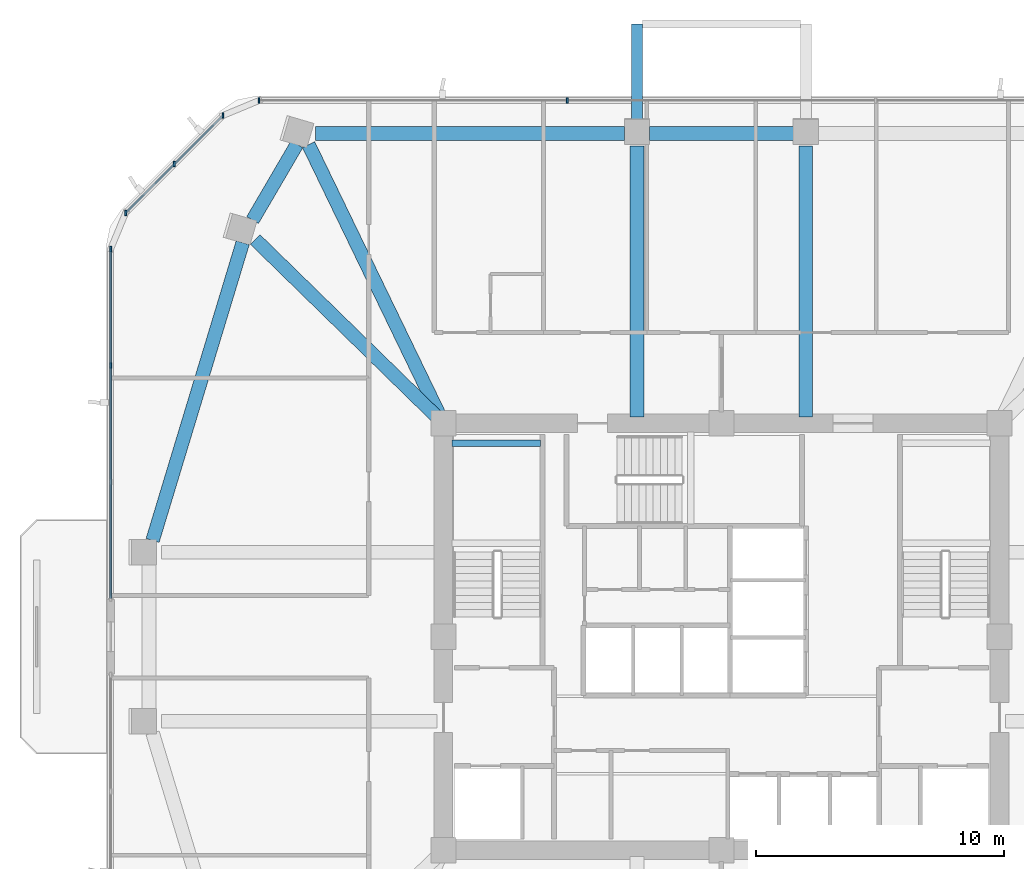
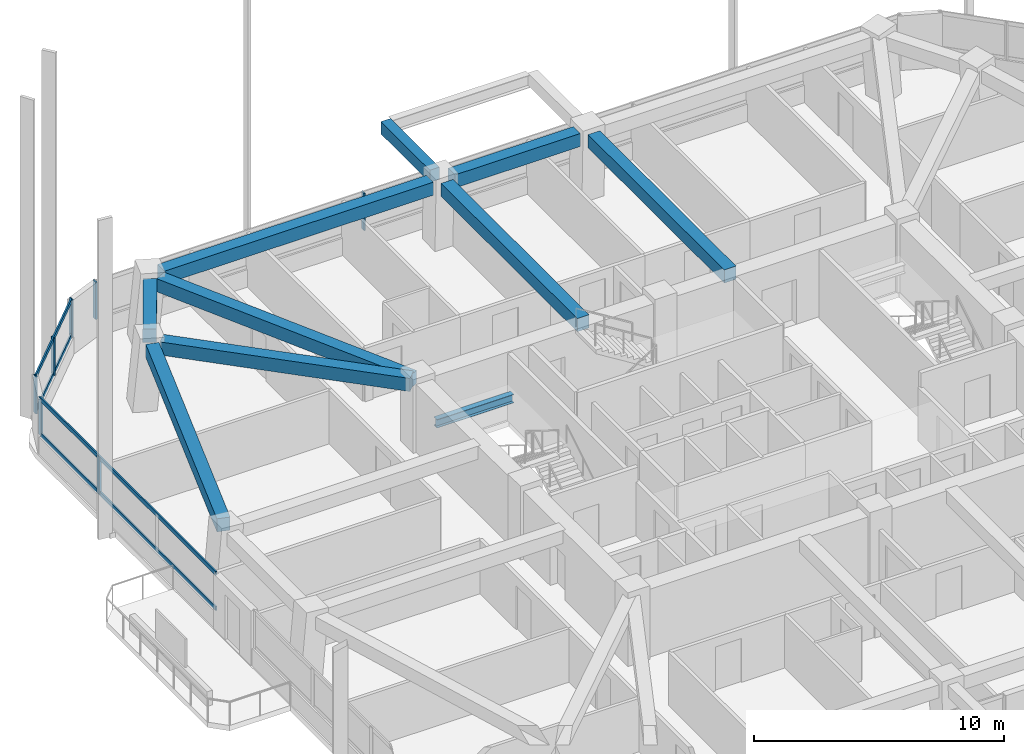
# One storey, part 4 of 15: 11 members, 10 beams, 3 elements without a shape of their own.
"""IFC4 building model written with IfcOpenShell, lengths in metres."""

from ifc_helpers import new_model, si_unit, derived_unit, direction, frame, origin, origin_2d, place, context, subcontext, project, spatial, rectangle, i_section, extrude, material, material_profile, profile_set, type_object, element, aggregate, save


model = new_model("IFC4")

# Units and contexts
model_context = context("Model", 3, precision=1e-05, world=origin(), true_north=direction((0.0, 1.0)))
body_context = subcontext(model_context, "Body", "Model", "MODEL_VIEW")
ifc_project = project(units=[si_unit("LENGTHUNIT", "METRE"), si_unit("AREAUNIT", "SQUARE_METRE"), si_unit("VOLUMEUNIT", "CUBIC_METRE"), si_unit("PLANEANGLEUNIT", "RADIAN"), si_unit("MASSUNIT", "GRAM", prefix="KILO"), derived_unit("THERMALTRANSMITTANCEUNIT", [(si_unit("POWERUNIT", "WATT"), 1), (si_unit("LENGTHUNIT", "METRE"), -2), (si_unit("THERMODYNAMICTEMPERATUREUNIT", "KELVIN"), -1)])], contexts=[model_context])

# Site, building, storey
site_placement = place(None, origin())
site = spatial("IfcSite", under=ifc_project, at=site_placement, CompositionType="ELEMENT")
building_placement = place(site_placement, origin())
building = spatial("IfcBuilding", under=site, at=building_placement, Name="Koralith Skygarden Medical Center", CompositionType="ELEMENT")
storey_placement = place(building_placement, frame((0.0, 0.0, 113.580078125)))
storey = spatial("IfcBuildingStorey", under=building, at=storey_placement, Name="L29", CompositionType="ELEMENT", Elevation=113.580078125)

# Curtain wall, members
ifc_material_1 = material(Name="Clear Laminated Glass", Category="glass")
curtain_wall_type = type_object("IfcCurtainWallType", Name="CW-3 Zone 2 Faceted Solar Curtain Wall", PredefinedType="NOTDEFINED", material=ifc_material_1)
curtain_wall_1_placement = place(storey_placement, origin())
curtain_wall_1 = element("IfcCurtainWall", 1, at=curtain_wall_1_placement, inside=storey, type_object=curtain_wall_type, Name="Curtain Wall CW-L29-N", PredefinedType="NOTDEFINED")
ifc_material_2 = material(Name="Aluminium 6063-T6", Category="aluminium")
ifc_material_profile_1 = material_profile(ifc_material_2, rectangle(XDim=0.073974609375, YDim=0.219970703125, at=origin_2d()), Name="MUL74X220")
ifc_profile_set_1 = profile_set([ifc_material_profile_1], Name="Aluminium 6063-T6")
member_type_1 = type_object("IfcMemberType", Name="CW-3 Extruded Mullion 74x220", PredefinedType="MULLION", material=ifc_profile_set_1)
member_1_placement = place(storey_placement, frame((30.7900390625, 47.5009765625, 0.849853515625), z_axis=(0.0, 0.0, 1.0), x_axis=(1.0, 0.0, 0.0)))
member_1 = element("IfcMember", 2, at=member_1_placement, type_object=member_type_1, Name="CW-L29-N Mullion 3", PredefinedType="MULLION", context=body_context, shape_type="SweptSolid", body=[
    extrude(rectangle(XDim=0.073974609375, YDim=0.219970703125, at=origin_2d()), origin(), (0.0, 0.0, 1.0), 1.820068359375),
])
member_2_placement = place(storey_placement, frame((18.37109375, 47.5009765625, 0.849853515625), z_axis=(0.0, 0.0, 1.0), x_axis=(1.0, 0.0, 0.0)))
member_2 = element("IfcMember", 3, at=member_2_placement, type_object=member_type_1, Name="CW-L29-N Mullion 4", PredefinedType="MULLION", context=body_context, shape_type="SweptSolid", body=[
    extrude(rectangle(XDim=0.073974609375, YDim=0.219970703125, at=origin_2d()), origin(), (0.0, 0.0, 1.0), 1.820068359375),
])
aggregate(curtain_wall_1, [member_1, member_2])

curtain_wall_2_placement = place(storey_placement, origin())
curtain_wall_2 = element("IfcCurtainWall", 4, at=curtain_wall_2_placement, inside=storey, type_object=curtain_wall_type, Name="Curtain Wall CW-L29-NW", PredefinedType="NOTDEFINED")
member_3_placement = place(storey_placement, frame((16.919921875, 46.89892578125, 0.849853515625), z_axis=(0.0, 0.0, 1.0), x_axis=(1.0, 0.0, 0.0)))
member_3 = element("IfcMember", 5, at=member_3_placement, type_object=member_type_1, Name="CW-L29-NW Mullion 1", PredefinedType="MULLION", context=body_context, shape_type="SweptSolid", body=[
    extrude(rectangle(XDim=0.073974609375, YDim=0.219970703125, at=origin_2d()), origin(), (0.0, 0.0, 1.0), 1.820068359375),
])
member_4_placement = place(storey_placement, frame((14.958984375, 44.93798828125, 0.849853515625), z_axis=(0.0, 0.0, 1.0), x_axis=(1.0, 0.0, 0.0)))
member_4 = element("IfcMember", 6, at=member_4_placement, type_object=member_type_1, Name="CW-L29-NW Mullion 2", PredefinedType="MULLION", context=body_context, shape_type="SweptSolid", body=[
    extrude(rectangle(XDim=0.073974609375, YDim=0.219970703125, at=origin_2d()), origin(), (0.0, 0.0, 1.0), 1.820068359375),
])
member_5_placement = place(storey_placement, frame((12.9970703125, 42.97607421875, 0.849853515625), z_axis=(0.0, 0.0, 1.0), x_axis=(1.0, 0.0, 0.0)))
member_5 = element("IfcMember", 7, at=member_5_placement, type_object=member_type_1, Name="CW-L29-NW Mullion 3", PredefinedType="MULLION", context=body_context, shape_type="SweptSolid", body=[
    extrude(rectangle(XDim=0.073974609375, YDim=0.219970703125, at=origin_2d()), origin(), (0.0, 0.0, 1.0), 1.820068359375),
])

curtain_wall_3_placement = place(storey_placement, origin())
curtain_wall_3 = element("IfcCurtainWall", 8, at=curtain_wall_3_placement, inside=storey, type_object=curtain_wall_type, Name="Curtain Wall CW-L29-W-L", PredefinedType="NOTDEFINED")
member_6_placement = place(storey_placement, frame((12.39599609375, 41.52490234375, 0.849853515625), z_axis=(0.0, 0.0, 1.0), x_axis=(1.0, 0.0, 0.0)))
member_6 = element("IfcMember", 9, at=member_6_placement, type_object=member_type_1, Name="CW-L29-W-L Mullion 1", PredefinedType="MULLION", context=body_context, shape_type="SweptSolid", body=[
    extrude(rectangle(XDim=0.073974609375, YDim=0.219970703125, at=origin_2d()), origin(), (0.0, 0.0, 1.0), 1.820068359375),
])
member_7_placement = place(storey_placement, frame((12.39599609375, 36.830078125, 0.849853515625), z_axis=(0.0, 0.0, 1.0), x_axis=(1.0, 0.0, 0.0)))
member_7 = element("IfcMember", 10, at=member_7_placement, type_object=member_type_1, Name="CW-L29-W-L Mullion 2", PredefinedType="MULLION", context=body_context, shape_type="SweptSolid", body=[
    extrude(rectangle(XDim=0.073974609375, YDim=0.219970703125, at=origin_2d()), origin(), (0.0, 0.0, 1.0), 1.820068359375),
])

# Member
ifc_material_profile_2 = material_profile(ifc_material_2, rectangle(XDim=0.069091796875, YDim=0.197998046875, at=origin_2d()), Name="TRN69X198")
ifc_profile_set_2 = profile_set([ifc_material_profile_2], Name="Aluminium 6063-T6")
member_type_2 = type_object("IfcMemberType", Name="CW-3 Thermal Transom 69x198", PredefinedType="USERDEFINED", material=ifc_profile_set_2)
member_8_placement = place(storey_placement, frame((16.919921875, 46.89892578125, 0.89990234375), z_axis=(-0.707106781187, -0.707106781187, 0.0), x_axis=(0.707106781187, -0.707106781187, 0.0)))
member_8 = element("IfcMember", 11, at=member_8_placement, type_object=member_type_2, Name="CW-L29-NW Transom 1", ObjectType="TRANSOM", PredefinedType="USERDEFINED", context=body_context, shape_type="SweptSolid", body=[
    extrude(rectangle(XDim=0.069091796875, YDim=0.197998046875, at=origin_2d()), origin(), (0.0, 0.0, 1.0), 5.5478515625),
])

member_9_placement = place(storey_placement, frame((16.919921875, 46.89892578125, 2.619873046875), z_axis=(-0.707106781187, -0.707106781187, 0.0), x_axis=(0.707106781187, -0.707106781187, 0.0)))
member_9 = element("IfcMember", 12, at=member_9_placement, type_object=member_type_2, Name="CW-L29-NW Transom 2", ObjectType="TRANSOM", PredefinedType="USERDEFINED", context=body_context, shape_type="SweptSolid", body=[
    extrude(rectangle(XDim=0.069091796875, YDim=0.197998046875, at=origin_2d()), origin(), (0.0, 0.0, 1.0), 5.5478515625),
])

aggregate(curtain_wall_2, [member_3, member_4, member_5, member_8, member_9])

member_10_placement = place(storey_placement, frame((12.39599609375, 41.52490234375, 0.89990234375), z_axis=(0.0, -1.0, 0.0), x_axis=(1.0, 0.0, 0.0)))
member_10 = element("IfcMember", 13, at=member_10_placement, type_object=member_type_2, Name="CW-L29-W-L Transom 1", ObjectType="TRANSOM", PredefinedType="USERDEFINED", context=body_context, shape_type="SweptSolid", body=[
    extrude(rectangle(XDim=0.069091796875, YDim=0.197998046875, at=origin_2d()), origin(), (0.0, 0.0, 1.0), 14.0849609375),
])

member_11_placement = place(storey_placement, frame((12.39599609375, 41.52490234375, 2.619873046875), z_axis=(0.0, -1.0, 0.0), x_axis=(1.0, 0.0, 0.0)))
member_11 = element("IfcMember", 14, at=member_11_placement, type_object=member_type_2, Name="CW-L29-W-L Transom 2", ObjectType="TRANSOM", PredefinedType="USERDEFINED", context=body_context, shape_type="SweptSolid", body=[
    extrude(rectangle(XDim=0.069091796875, YDim=0.197998046875, at=origin_2d()), origin(), (0.0, 0.0, 1.0), 14.0849609375),
])

aggregate(curtain_wall_3, [member_6, member_7, member_10, member_11])

# Beams
ifc_material_3 = material(Name="Steel ASTM A992 Grade 50", Category="steel")
ifc_material_profile_3 = material_profile(ifc_material_3, i_section(OverallWidth=0.260009765625, OverallDepth=0.4150390625, WebThickness=0.010009765625, FlangeThickness=0.016845703125, at=origin_2d()), Name="W16X67")
ifc_profile_set_3 = profile_set([ifc_material_profile_3], Name="Steel ASTM A992 Grade 50")
beam_type_1 = type_object("IfcBeamType", Name="Clinical Floor Joist W16X67", PredefinedType="JOIST", material=ifc_profile_set_3)
beam_1_placement = place(storey_placement, frame((26.155029296875, 33.699951171875, 1.391845703125), z_axis=(1.0, 0.0, 0.0), x_axis=(0.0, 1.0, 0.0)))
element("IfcBeam", 15, at=beam_1_placement, inside=storey, type_object=beam_type_1, Name="L29 Stair ST1 Half-Landing Support Beam 1B", PredefinedType="JOIST", context=body_context, shape_type="SweptSolid", body=[
    extrude(i_section(OverallWidth=0.260009765625, OverallDepth=0.4150390625, WebThickness=0.010009765625, FlangeThickness=0.016845703125, at=origin_2d()), origin(), (0.0, 0.0, 1.0), 3.56494140625),
])
ifc_material_4 = material(Name="Concrete C45/55", Category="concrete")
ifc_material_profile_4 = material_profile(ifc_material_4, rectangle(XDim=0.449951171875, YDim=0.60009765625, at=origin_2d()), Name="RCB450X600")
ifc_profile_set_4 = profile_set([ifc_material_profile_4], Name="Concrete C45/55")
beam_type_2 = type_object("IfcBeamType", Name="Planted Balcony Cantilever Beam RCB450X600", PredefinedType="BEAM", material=ifc_profile_set_4)
beam_2_placement = place(storey_placement, frame((33.60009765625, 46.662109375, 3.0400390625), z_axis=(0.0, 1.0, 0.0), x_axis=(-1.0, 0.0, 0.0)))
element("IfcBeam", 16, at=beam_2_placement, inside=storey, type_object=beam_type_2, Name="L30 N Balcony Cantilever Beam A", PredefinedType="BEAM", context=body_context, shape_type="SweptSolid", body=[
    extrude(rectangle(XDim=0.449951171875, YDim=0.60009765625, at=origin_2d()), origin(), (0.0, 0.0, 1.0), 3.919921875),
])
ifc_material_profile_5 = material_profile(ifc_material_4, rectangle(XDim=0.550048828125, YDim=0.639892578125, at=origin_2d()), Name="RCB550X640")
ifc_profile_set_5 = profile_set([ifc_material_profile_5], Name="Concrete C45/55")
beam_type_3 = type_object("IfcBeamType", Name="Radial Collector Beam RCB550X640", PredefinedType="BEAM", material=ifc_profile_set_5)
for number, where, z_axis, x_axis, name in (
    (17, (40.39990234375, 34.75, 3.0), (0.0, 1.0, 0.0), (-1.0, 0.0, 0.0), "L29 Radial Collector Beam RB-12"),
    (18, (33.60009765625, 34.75, 3.0), (0.0, 1.0, 0.0), (-1.0, 0.0, 0.0), "L29 Radial Collector Beam RB-13"),
):
    element("IfcBeam", number, at=place(storey_placement, frame(where, z_axis=z_axis, x_axis=x_axis)), inside=storey, type_object=beam_type_3, Name=name, PredefinedType="BEAM", context=body_context, shape_type="SweptSolid", body=[
        extrude(rectangle(XDim=0.550048828125, YDim=0.639892578125, at=origin_2d()), origin(), (0.0, 0.0, 1.0), 10.922119140625),
    ])
beam_3_placement = place(storey_placement, frame((25.69091796875, 34.72509765625, 3.0), z_axis=(-0.435690459594, 0.900096563386, 0.0), x_axis=(-0.900096563386, -0.435690459594, 0.0)))
element("IfcBeam", 19, at=beam_3_placement, inside=storey, type_object=beam_type_3, Name="L29 Radial Collector Beam RB-14", PredefinedType="BEAM", context=body_context, shape_type="SweptSolid", body=[
    extrude(rectangle(XDim=0.550048828125, YDim=0.639892578125, at=origin_2d()), origin(), (0.0, 0.0, 1.0), 12.21728515625),
])
beam_4_placement = place(storey_placement, frame((25.62109375, 34.675048828125, 3.0), z_axis=(-0.715561569325, 0.698549669319, 0.0), x_axis=(-0.698549669319, -0.715561569325, 0.0)))
element("IfcBeam", 20, at=beam_4_placement, inside=storey, type_object=beam_type_3, Name="L29 Radial Collector Beam RB-15", PredefinedType="BEAM", context=body_context, shape_type="SweptSolid", body=[
    extrude(rectangle(XDim=0.550048828125, YDim=0.639892578125, at=origin_2d()), origin(), (0.0, 0.0, 1.0), 10.34716796875),
])
ifc_material_profile_6 = material_profile(ifc_material_4, rectangle(XDim=0.550048828125, YDim=0.639892578125, at=origin_2d()), Name="RCB550X640")
ifc_profile_set_6 = profile_set([ifc_material_profile_6], Name="Concrete C45/55")
beam_type_4 = type_object("IfcBeamType", Name="Zone 2-3 Spandrel Beam RCB550X640", PredefinedType="SPANDREL", material=ifc_profile_set_6)
beam_5_placement = place(storey_placement, frame((39.89990234375, 46.172119140625, 3.0), z_axis=(-1.0, 0.0, 0.0), x_axis=(0.0, -1.0, 0.0)))
element("IfcBeam", 21, at=beam_5_placement, inside=storey, type_object=beam_type_4, Name="L29 Perimeter Spandrel Beam SP-12", PredefinedType="SPANDREL", context=body_context, shape_type="SweptSolid", body=[
    extrude(rectangle(XDim=0.550048828125, YDim=0.639892578125, at=origin_2d()), origin(), (0.0, 0.0, 1.0), 5.7998046875),
])
beam_6_placement = place(storey_placement, frame((33.10009765625, 46.172119140625, 3.0), z_axis=(-1.0, 0.0, 0.0), x_axis=(0.0, -1.0, 0.0)))
element("IfcBeam", 22, at=beam_6_placement, inside=storey, type_object=beam_type_4, Name="L29 Perimeter Spandrel Beam SP-13", PredefinedType="SPANDREL", context=body_context, shape_type="SweptSolid", body=[
    extrude(rectangle(XDim=0.550048828125, YDim=0.639892578125, at=origin_2d()), origin(), (0.0, 0.0, 1.0), 12.4501953125),
])
beam_7_placement = place(storey_placement, frame((19.89794921875, 45.739990234375, 3.0), z_axis=(-0.504766963518, -0.863255647268, 0.0), x_axis=(0.863255647268, -0.504766963518, 0.0)))
element("IfcBeam", 23, at=beam_7_placement, inside=storey, type_object=beam_type_4, Name="L29 Perimeter Spandrel Beam SP-14", PredefinedType="SPANDREL", context=body_context, shape_type="SweptSolid", body=[
    extrude(rectangle(XDim=0.550048828125, YDim=0.639892578125, at=origin_2d()), origin(), (0.0, 0.0, 1.0), 3.5400390625),
])
beam_8_placement = place(storey_placement, frame((17.714111328125, 41.77294921875, 3.0), z_axis=(-0.28975811543, -0.957099908339, 0.0), x_axis=(0.957099908339, -0.28975811543, 0.0)))
element("IfcBeam", 24, at=beam_8_placement, inside=storey, type_object=beam_type_4, Name="L29 Perimeter Spandrel Beam SP-15", PredefinedType="SPANDREL", context=body_context, shape_type="SweptSolid", body=[
    extrude(rectangle(XDim=0.550048828125, YDim=0.639892578125, at=origin_2d()), origin(), (0.0, 0.0, 1.0), 12.531494140625),
])

save(model, "model.ifc")
